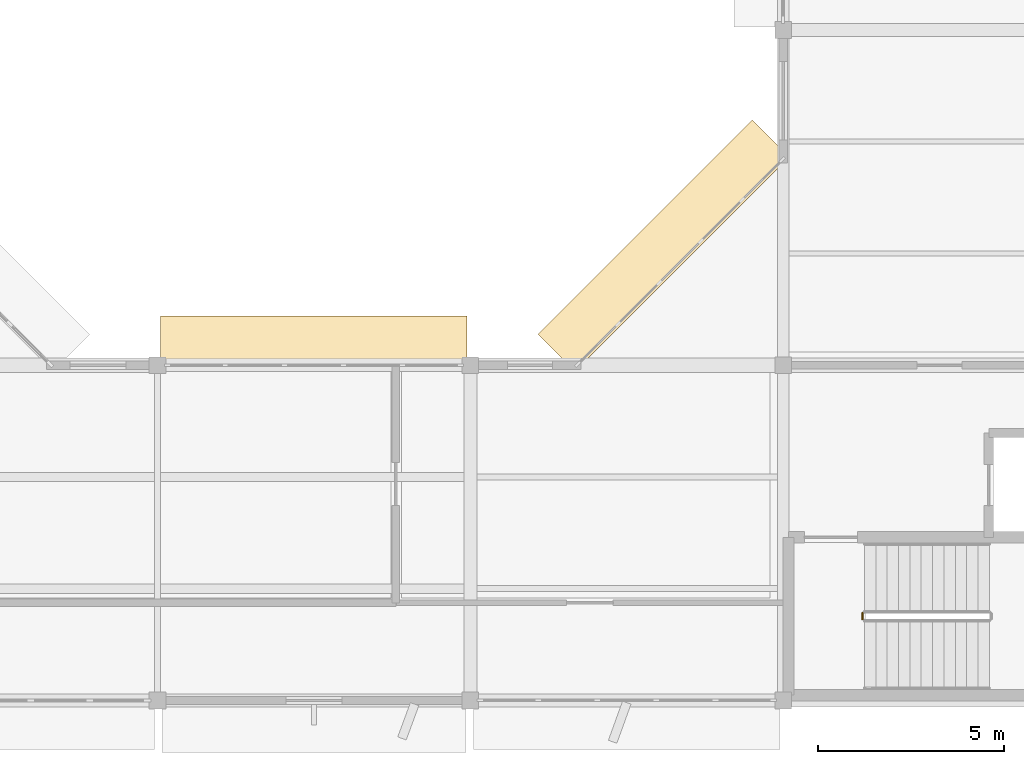
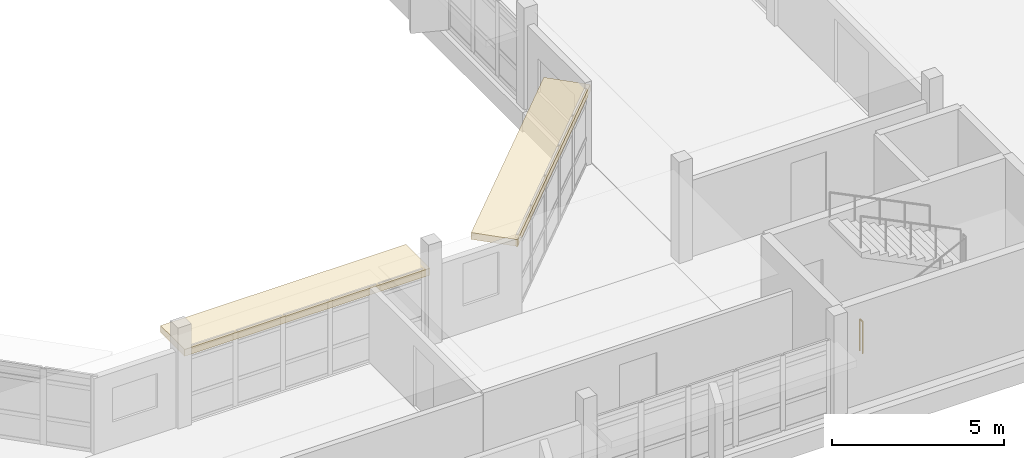
# One storey, part 27 of 42: 2 coverings, 1 railing.
"""IFC4 building model written with IfcOpenShell, lengths in metres."""

from ifc_helpers import new_model, si_unit, direction, frame, origin, origin_2d, place, context, subcontext, project, spatial, rectangle, circle, extrude, material, layer, layer_set, type_object, element, save


model = new_model("IFC4")

# Units and contexts
model_context = context("Model", 3, precision=1e-05, world=origin(), true_north=direction((0.0, 1.0)))
body_context = subcontext(model_context, "Body", "Model", "MODEL_VIEW")
ifc_project = project(units=[si_unit("LENGTHUNIT", "METRE"), si_unit("AREAUNIT", "SQUARE_METRE"), si_unit("VOLUMEUNIT", "CUBIC_METRE"), si_unit("PLANEANGLEUNIT", "RADIAN"), si_unit("MASSUNIT", "GRAM", prefix="KILO")], contexts=[model_context])

# Site, building, storey
site_placement = place(None, origin())
site = spatial("IfcSite", under=ifc_project, at=site_placement, CompositionType="ELEMENT")
building_placement = place(site_placement, origin())
building = spatial("IfcBuilding", under=site, at=building_placement, Name="Vanh Quang Courtyard School", CompositionType="ELEMENT")
storey_placement = place(building_placement, frame((0.0, 0.0, 15.0)))
storey = spatial("IfcBuildingStorey", under=building, at=storey_placement, Name="L04", CompositionType="ELEMENT", Elevation=15.0)

# Coverings
ifc_material_1 = material(Name="Board-marked precast concrete C40/50", Category="concrete")
ifc_layer = layer(ifc_material_1, 0.239990234375)
ifc_layer_set = layer_set([ifc_layer], Name="Board-marked precast concrete C40/50")
covering_type = type_object("IfcCoveringType", Name="COV-HOOD-CONC", PredefinedType="CLADDING", material=ifc_layer_set)
covering_1_placement = place(storey_placement, frame((53.39990234375, 42.02001953125, 2.41015625), z_axis=(0.0, 0.0, 1.0), x_axis=(1.0, 0.0, 0.0)))
element("IfcCovering", 1, at=covering_1_placement, inside=storey, type_object=covering_type, Name="Covering CH-01 (L04)", PredefinedType="CLADDING", context=body_context, shape_type="SweptSolid", body=[
    extrude(rectangle(XDim=8.23388671875, YDim=1.39990234375, at=origin_2d()), origin(), (0.0, 0.0, 1.0), 0.239990234375),
])
covering_2_placement = place(storey_placement, frame((62.78955078125, 44.6103515625, 2.4599609375), z_axis=(0.0, 0.0, 1.0), x_axis=(0.707106781187, 0.707106781187, 0.0)))
element("IfcCovering", 2, at=covering_2_placement, inside=storey, type_object=covering_type, Name="Covering CH-01 (L04)", PredefinedType="CLADDING", context=body_context, shape_type="SweptSolid", body=[
    extrude(rectangle(XDim=8.140380859375, YDim=1.39990234375, at=origin_2d()), origin(), (0.0, 0.0, 1.0), 0.239990234375),
])

# Railing
ifc_material_2 = material(Name="Galvanised painted steel EN 10025-2 S355J2", Category="steel")
railing_type = type_object("IfcRailingType", Name="RAIL-GUARD-1150", PredefinedType="BALUSTRADE", material=ifc_material_2)
railing_placement = place(storey_placement, frame((68.1298828125, 34.580078125, 0.0)))
element("IfcRailing", 3, at=railing_placement, inside=storey, type_object=railing_type, Name="L04 ST-04 stair guard 4", PredefinedType="BALUSTRADE", context=body_context, shape_type="SweptSolid", body=[
    extrude(circle(Radius=0.02392578125, at=origin_2d()), frame((0.0, 0.0, 1.1259765625), z_axis=(0.0, 1.0, 0.0), x_axis=(-1.0, 0.0, 0.0)), (0.0, 0.0, 1.0), 0.159912109375),
    extrude(circle(Radius=0.02099609375, at=origin_2d()), origin(), (0.0, 0.0, 1.0), 1.101806640625),
    extrude(circle(Radius=0.02099609375, at=origin_2d()), frame((0.0, 0.159912109375, 0.0)), (0.0, 0.0, 1.0), 1.101806640625),
])

save(model, "model.ifc")
